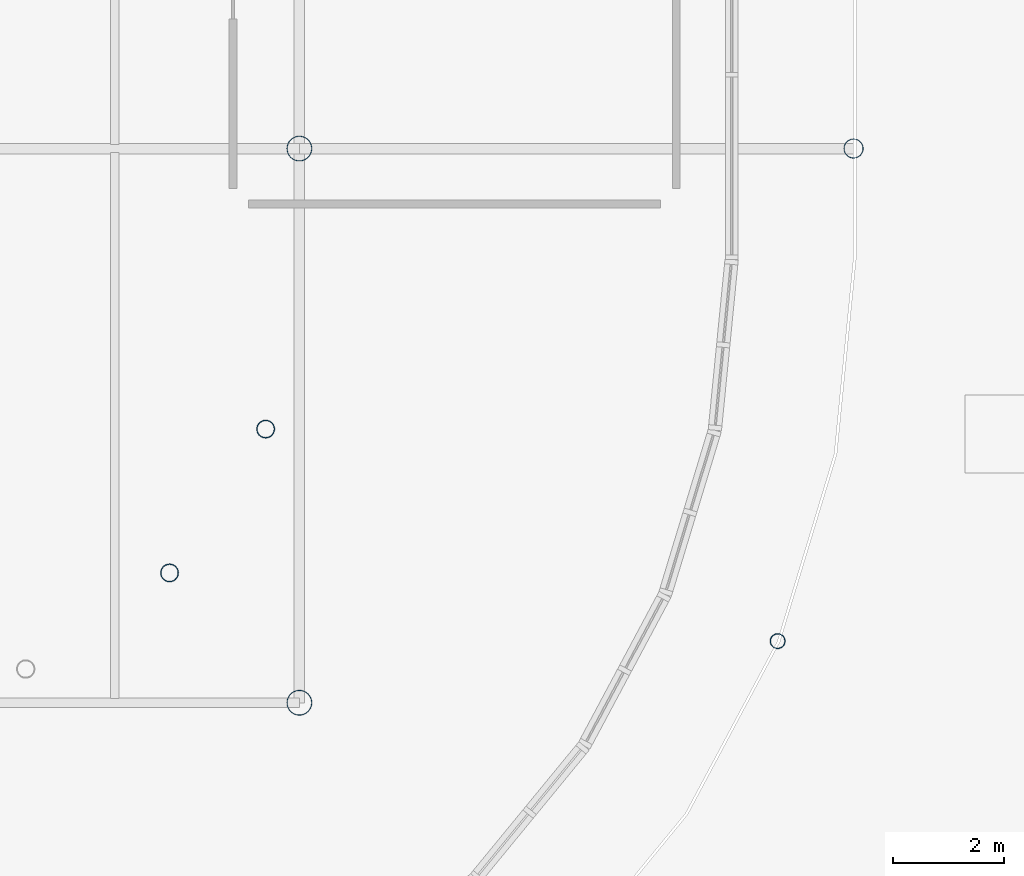
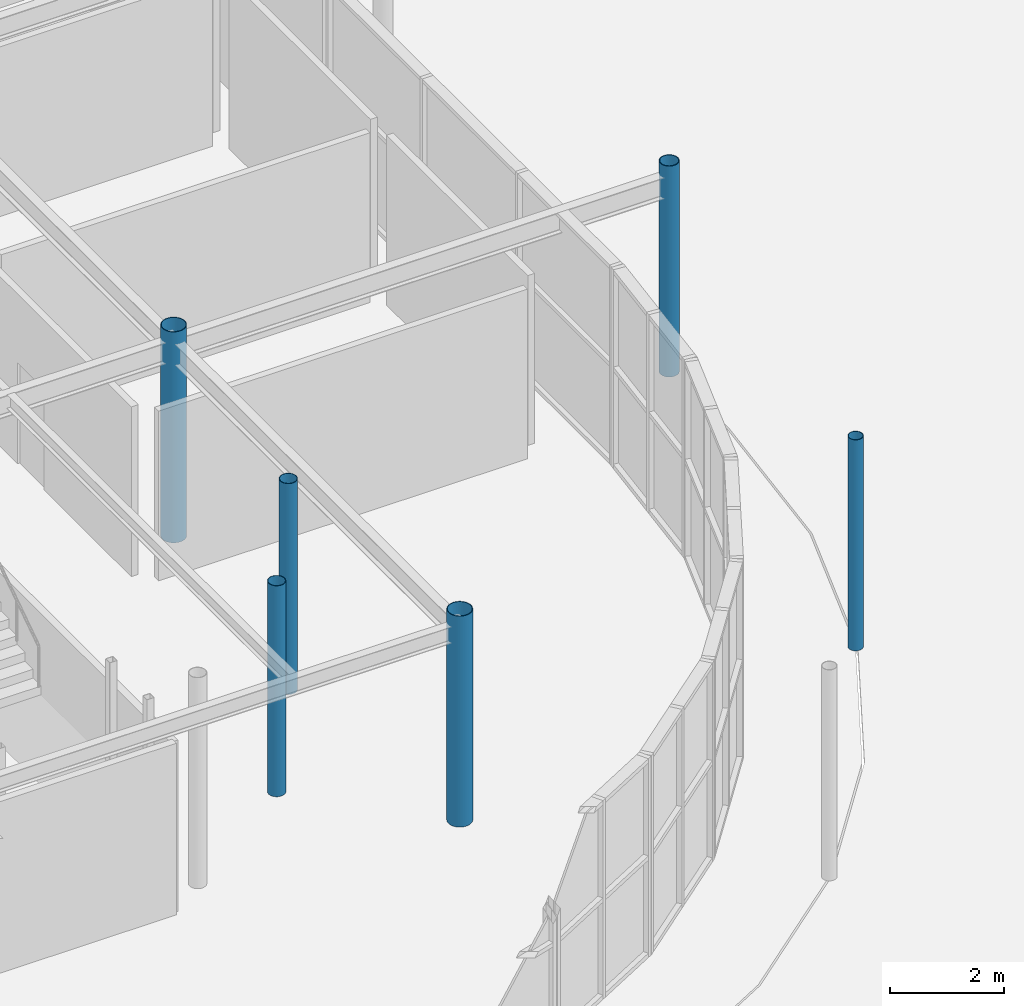
# One storey, part 28 of 119: 6 columns.
"""IFC4 building model written with IfcOpenShell, lengths in metres."""

from ifc_helpers import new_model, si_unit, derived_unit, direction, frame, origin, origin_2d_with_axis, place, context, subcontext, project, spatial, hollow_circle, extrude, material, material_profile, profile_set, type_object, element, save


model = new_model("IFC4")

# Units and contexts
model_context = context("Model", 3, precision=1e-05, world=origin(), true_north=direction((0.0, 1.0)))
body_context = subcontext(model_context, "Body", "Model", "MODEL_VIEW")
ifc_project = project(units=[si_unit("LENGTHUNIT", "METRE"), si_unit("AREAUNIT", "SQUARE_METRE"), si_unit("VOLUMEUNIT", "CUBIC_METRE"), si_unit("PLANEANGLEUNIT", "RADIAN"), si_unit("MASSUNIT", "GRAM", prefix="KILO"), derived_unit("THERMALTRANSMITTANCEUNIT", [(si_unit("POWERUNIT", "WATT"), 1), (si_unit("LENGTHUNIT", "METRE"), -2), (si_unit("THERMODYNAMICTEMPERATUREUNIT", "KELVIN"), -1)])], contexts=[model_context])

# Site, building, storey
site_placement = place(None, origin())
site = spatial("IfcSite", under=ifc_project, at=site_placement, CompositionType="ELEMENT")
building_placement = place(site_placement, origin())
building = spatial("IfcBuilding", under=site, at=building_placement, Name="Cinnabar Yard Market Hall", CompositionType="ELEMENT")
storey_placement = place(building_placement, origin())
storey = spatial("IfcBuildingStorey", under=building, at=storey_placement, Name="L00", CompositionType="ELEMENT", Elevation=0.0)

# Columns
ifc_material = material(Name="Spotted-gum glulam-clad steel Grade 350 (350 MPa)", Category="steel")
ifc_material_profile_1 = material_profile(ifc_material, hollow_circle(Radius=0.228515625, WallThickness=0.0126953125, at=origin_2d_with_axis()), Name="457.0x12.7CHS")
ifc_profile_set_1 = profile_set([ifc_material_profile_1], Name="Spotted-gum glulam-clad steel Grade 350 (350 MPa)")
column_type_1 = type_object("IfcColumnType", Name="COL-C01", PredefinedType="COLUMN", material=ifc_profile_set_1)
for number, where, z_axis, x_axis, name in (
    (1, (156.0, 24.0, 0.0), (0.0, 0.0, 1.0), (1.0, 0.0, 0.0), "Tree Column V1I-09-01 L00"),
    (2, (156.0, 34.0, 0.0), (0.0, 0.0, 1.0), (1.0, 0.0, 0.0), "Tree Column V1I-09-02 L00"),
):
    element("IfcColumn", number, at=place(storey_placement, frame(where, z_axis=z_axis, x_axis=x_axis)), inside=storey, type_object=column_type_1, Name=name, PredefinedType="COLUMN", context=body_context, shape_type="SweptSolid", body=[
        extrude(hollow_circle(Radius=0.228515625, WallThickness=0.0126953125, at=origin_2d_with_axis()), origin(), (0.0, 0.0, 1.0), 4.5),
    ])
ifc_material_profile_2 = material_profile(ifc_material, hollow_circle(Radius=0.177734375, WallThickness=0.0126953125, at=origin_2d_with_axis()), Name="355.6x12.7CHS")
ifc_profile_set_2 = profile_set([ifc_material_profile_2], Name="Spotted-gum glulam-clad steel Grade 350 (350 MPa)")
column_type_2 = type_object("IfcColumnType", Name="COL-C02E", PredefinedType="COLUMN", material=ifc_profile_set_2)
column_1_placement = place(storey_placement, frame((166.0, 34.0, 0.0), z_axis=(0.0, 0.0, 1.0), x_axis=(1.0, 0.0, 0.0)))
element("IfcColumn", 3, at=column_1_placement, inside=storey, type_object=column_type_2, Name="Tree Column V1E-01 L00", PredefinedType="COLUMN", context=body_context, shape_type="SweptSolid", body=[
    extrude(hollow_circle(Radius=0.177734375, WallThickness=0.0126953125, at=origin_2d_with_axis()), origin(), (0.0, 0.0, 1.0), 4.5),
])
ifc_material_profile_3 = material_profile(ifc_material, hollow_circle(Radius=0.161865234375, WallThickness=0.009521484375, at=origin_2d_with_axis()), Name="323.9x9.5CHS")
ifc_profile_set_3 = profile_set([ifc_material_profile_3], Name="Spotted-gum glulam-clad steel Grade 350 (350 MPa)")
column_type_3 = type_object("IfcColumnType", Name="COL-C03", PredefinedType="COLUMN", material=ifc_profile_set_3)
for number, where, z_axis, x_axis, name in (
    (4, (153.656982421875, 26.343017578125, 0.0), (0.0, 0.0, 1.0), (1.0, 0.0, 0.0), "Tree Column V1IC-SE4 L00"),
    (5, (155.39111328125, 28.9384765625, 0.0), (0.0, 0.0, 1.0), (1.0, 0.0, 0.0), "Tree Column V1IC-SE6 L00"),
):
    element("IfcColumn", number, at=place(storey_placement, frame(where, z_axis=z_axis, x_axis=x_axis)), inside=storey, type_object=column_type_3, Name=name, PredefinedType="COLUMN", context=body_context, shape_type="SweptSolid", body=[
        extrude(hollow_circle(Radius=0.161865234375, WallThickness=0.009521484375, at=origin_2d_with_axis()), origin(), (0.0, 0.0, 1.0), 4.5),
    ])
ifc_material_profile_4 = material_profile(ifc_material, hollow_circle(Radius=0.136474609375, WallThickness=0.00927734375, at=origin_2d_with_axis()), Name="273.1x9.3CHS")
ifc_profile_set_4 = profile_set([ifc_material_profile_4], Name="Spotted-gum glulam-clad steel Grade 350 (350 MPa)")
column_type_4 = type_object("IfcColumnType", Name="COL-C04E", PredefinedType="COLUMN", material=ifc_profile_set_4)
column_2_placement = place(storey_placement, frame((164.6298828125, 25.11181640625, 0.0), z_axis=(0.0, 0.0, 1.0), x_axis=(1.0, 0.0, 0.0)))
element("IfcColumn", 6, at=column_2_placement, inside=storey, type_object=column_type_4, Name="Tree Column V1C-SE6 L00", PredefinedType="COLUMN", context=body_context, shape_type="SweptSolid", body=[
    extrude(hollow_circle(Radius=0.136474609375, WallThickness=0.00927734375, at=origin_2d_with_axis()), origin(), (0.0, 0.0, 1.0), 4.5),
])

save(model, "model.ifc")
